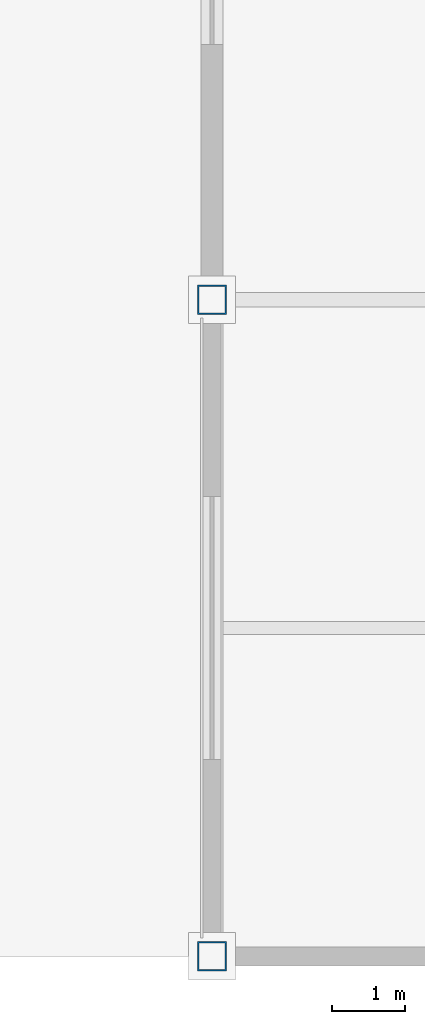
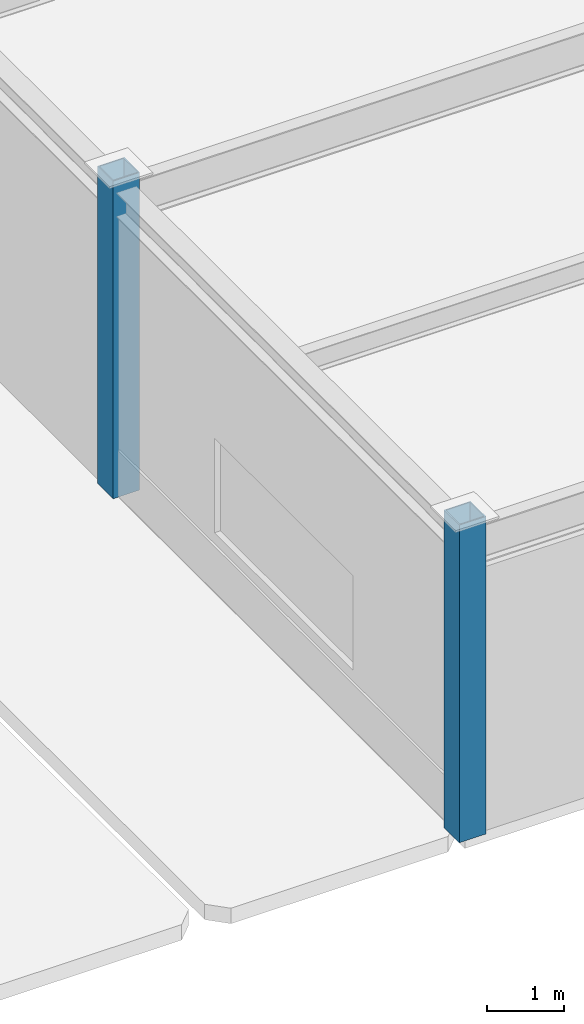
# One storey, part 7 of 123: 2 columns.
"""IFC4 building model written with IfcOpenShell, lengths in metres."""

from ifc_helpers import new_model, si_unit, direction, frame, origin, origin_2d, place, context, subcontext, project, spatial, hollow_rectangle, extrude, material, material_profile, profile_set, type_object, element, save


model = new_model("IFC4")

# Units and contexts
model_context = context("Model", 3, precision=1e-05, world=origin(), true_north=direction((0.0, 1.0)))
body_context = subcontext(model_context, "Body", "Model", "MODEL_VIEW")
ifc_project = project(units=[si_unit("LENGTHUNIT", "METRE"), si_unit("AREAUNIT", "SQUARE_METRE"), si_unit("VOLUMEUNIT", "CUBIC_METRE"), si_unit("PLANEANGLEUNIT", "RADIAN"), si_unit("MASSUNIT", "GRAM", prefix="KILO")], contexts=[model_context])

# Site, building, storey
site_placement = place(None, origin())
site = spatial("IfcSite", under=ifc_project, at=site_placement, CompositionType="ELEMENT")
building_placement = place(site_placement, origin())
building = spatial("IfcBuilding", under=site, at=building_placement, Name="Suzunagisa Mobility Hub", CompositionType="ELEMENT")
storey_placement = place(building_placement, origin())
storey = spatial("IfcBuildingStorey", under=building, at=storey_placement, Name="L00", CompositionType="ELEMENT", Elevation=0.0)

# Columns
ifc_material = material(Name="Steel SN490B", Category="steel")
ifc_material_profile = material_profile(ifc_material, hollow_rectangle(XDim=0.39990234375, YDim=0.39990234375, WallThickness=0.01904296875, at=origin_2d()), Name="BCR-400x400x19")
ifc_profile_set = profile_set([ifc_material_profile], Name="Steel SN490B")
column_type = type_object("IfcColumnType", Name="Steel Column CL-13 BCR-400x400x19", PredefinedType="COLUMN", material=ifc_profile_set)
for number, where, z_axis, x_axis, name in (
    (1, (126.0, 0.0, 0.0), (0.0, 0.0, 1.0), (1.0, 0.0, 0.0), "L00 Column 228"),
    (2, (126.0, 9.0, 0.0), (0.0, 0.0, 1.0), (1.0, 0.0, 0.0), "L00 Column 229"),
):
    element("IfcColumn", number, at=place(storey_placement, frame(where, z_axis=z_axis, x_axis=x_axis)), inside=storey, type_object=column_type, Name=name, PredefinedType="COLUMN", context=body_context, shape_type="SweptSolid", body=[
        extrude(hollow_rectangle(XDim=0.39990234375, YDim=0.39990234375, WallThickness=0.01904296875, at=origin_2d()), origin(), (0.0, 0.0, 1.0), 5.0400390625),
    ])

save(model, "model.ifc")
